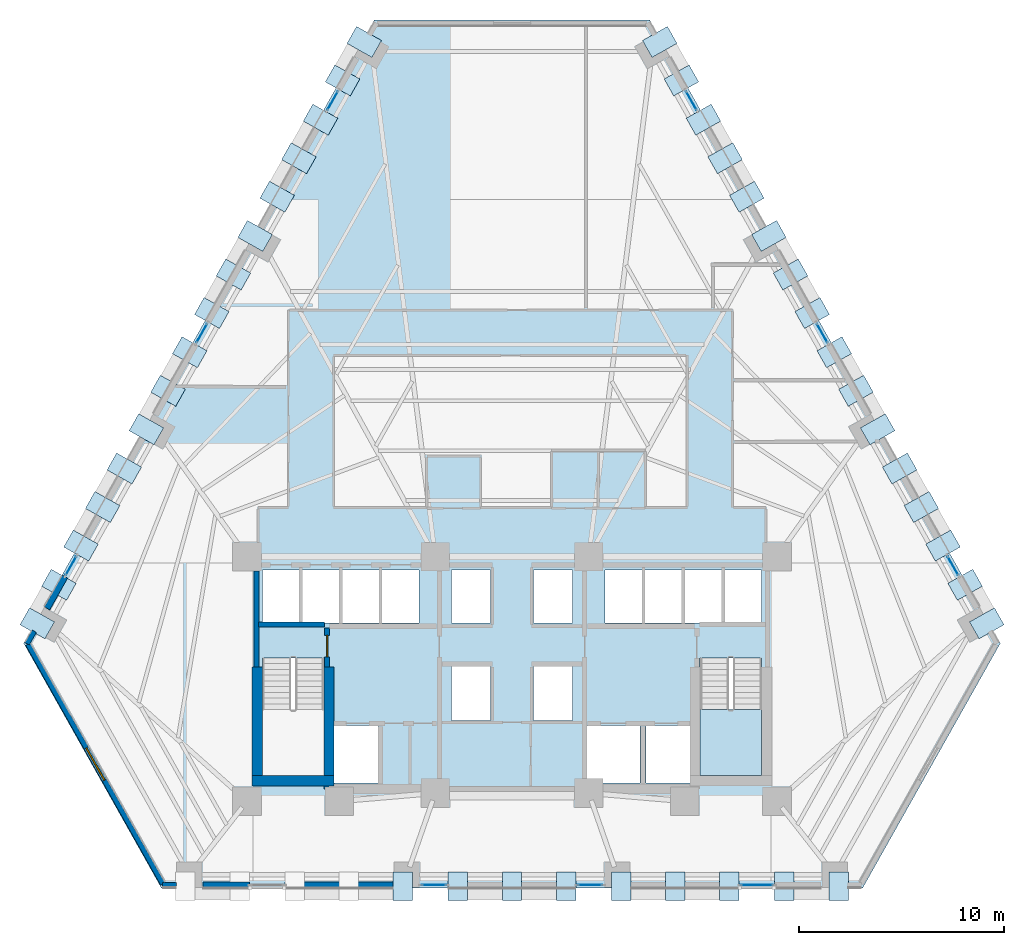
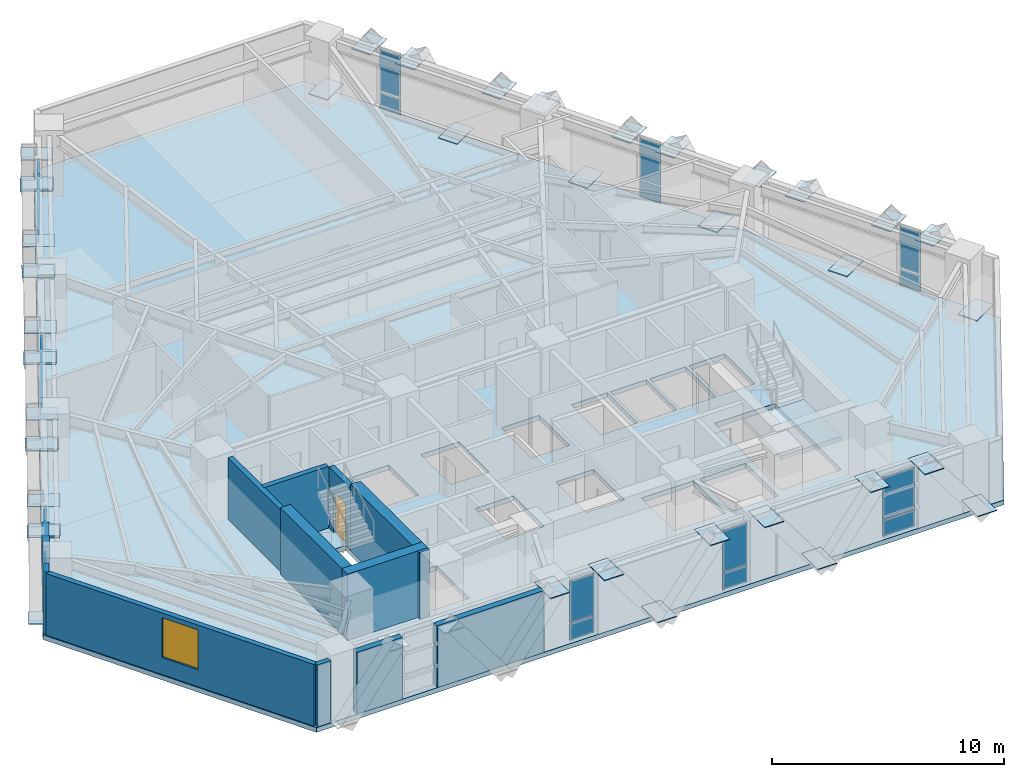
# One storey, part 6 of 13: 59 plates, 12 walls, 2 slabs, 1 door, 1 window, 2 openings, 10 elements without a shape of their own.
"""IFC4 building model written with IfcOpenShell, lengths in metres."""

from ifc_helpers import new_model, si_unit, direction, frame, frame_2d, origin, origin_2d, place, context, subcontext, project, spatial, polyline, rectangle, outline, extrude, material, layer, layer_set, type_object, element, fill, aggregate, save


model = new_model("IFC4")

# Units and contexts
model_context = context("Model", 3, precision=1e-05, world=origin(), true_north=direction((0.0, 1.0)))
body_context = subcontext(model_context, "Body", "Model", "MODEL_VIEW")
ifc_project = project(units=[si_unit("LENGTHUNIT", "METRE"), si_unit("AREAUNIT", "SQUARE_METRE"), si_unit("VOLUMEUNIT", "CUBIC_METRE"), si_unit("PLANEANGLEUNIT", "RADIAN"), si_unit("MASSUNIT", "GRAM", prefix="KILO")], contexts=[model_context])

# Site, building, storey
site_placement = place(None, origin())
site = spatial("IfcSite", under=ifc_project, at=site_placement, CompositionType="ELEMENT")
building_placement = place(site_placement, origin())
building = spatial("IfcBuilding", under=site, at=building_placement, Name="Quenlor Broadcast Tower", CompositionType="ELEMENT")
storey_placement = place(building_placement, frame((0.0, 0.0, 48.60009765625)))
storey = spatial("IfcBuildingStorey", under=building, at=storey_placement, Name="L12", CompositionType="ELEMENT", Elevation=48.60009765625)

# Curtain wall, plates
ifc_material_1 = material(Name="Architectural Terracotta and Low-E Glazing", Category="masonry")
curtain_wall_type = type_object("IfcCurtainWallType", Name="Unitised Terracotta Curtain Wall System Z1", PredefinedType="NOTDEFINED", material=ifc_material_1)
curtain_wall_1_placement = place(storey_placement, origin())
curtain_wall_1 = element("IfcCurtainWall", 1, at=curtain_wall_1_placement, inside=storey, type_object=curtain_wall_type, Name="L12 Curtain Wall CW1 (L12-SA-G1)", PredefinedType="NOTDEFINED")
ifc_material_2 = material(Name="Double Glazed Low-E Solar Glass", Category="glass")
ifc_layer_1 = layer(ifc_material_2, 0.031982421875)
ifc_layer_set_1 = layer_set([ifc_layer_1], Name="CW1 Double Glazed Vision Panel 32")
plate_type_1 = type_object("IfcPlateType", Name="CW1 Double Glazed Vision Panel 32", PredefinedType="CURTAIN_PANEL", material=ifc_layer_set_1)
plate_1_placement = place(storey_placement, frame((11.970703125, -20.840087890625, 0.079833984375), z_axis=(0.0, 0.0, 1.0), x_axis=(-1.0, 0.0, 0.0)))
plate_1 = element("IfcPlate", 2, at=plate_1_placement, type_object=plate_type_1, Name="CW1 panel 1.1", PredefinedType="CURTAIN_PANEL", context=body_context, shape_type="SweptSolid", body=[
    extrude(rectangle(XDim=1.568359375, YDim=0.031982421875, at=origin_2d()), origin(), (0.0, 0.0, 1.0), 0.830078125),
])
plate_2_placement = place(storey_placement, frame((11.970703125, -20.840087890625, 0.98974609375), z_axis=(0.0, 0.0, 1.0), x_axis=(-1.0, 0.0, 0.0)))
plate_2 = element("IfcPlate", 3, at=plate_2_placement, type_object=plate_type_1, Name="CW1 panel 1.2", PredefinedType="CURTAIN_PANEL", context=body_context, shape_type="SweptSolid", body=[
    extrude(rectangle(XDim=1.568359375, YDim=0.031982421875, at=origin_2d()), origin(), (0.0, 0.0, 1.0), 2.179931640625),
])
aggregate(curtain_wall_1, [plate_1, plate_2])

curtain_wall_2_placement = place(storey_placement, origin())
curtain_wall_2 = element("IfcCurtainWall", 4, at=curtain_wall_2_placement, inside=storey, type_object=curtain_wall_type, Name="L12 Curtain Wall CW1 (L12-S-G1)", PredefinedType="NOTDEFINED")
plate_3_placement = place(storey_placement, frame((3.81103515625, -20.840087890625, 0.079833984375), z_axis=(0.0, 0.0, 1.0), x_axis=(-1.0, 0.0, 0.0)))
plate_3 = element("IfcPlate", 5, at=plate_3_placement, type_object=plate_type_1, Name="CW1 panel 1.1", PredefinedType="CURTAIN_PANEL", context=body_context, shape_type="SweptSolid", body=[
    extrude(rectangle(XDim=1.209716796875, YDim=0.031982421875, at=origin_2d()), origin(), (0.0, 0.0, 1.0), 0.830078125),
])
plate_4_placement = place(storey_placement, frame((3.81103515625, -20.840087890625, 0.98974609375), z_axis=(0.0, 0.0, 1.0), x_axis=(-1.0, 0.0, 0.0)))
plate_4 = element("IfcPlate", 6, at=plate_4_placement, type_object=plate_type_1, Name="CW1 panel 1.2", PredefinedType="CURTAIN_PANEL", context=body_context, shape_type="SweptSolid", body=[
    extrude(rectangle(XDim=1.209716796875, YDim=0.031982421875, at=origin_2d()), origin(), (0.0, 0.0, 1.0), 2.179931640625),
])
aggregate(curtain_wall_2, [plate_3, plate_4])

curtain_wall_3_placement = place(storey_placement, origin())
curtain_wall_3 = element("IfcCurtainWall", 7, at=curtain_wall_3_placement, inside=storey, type_object=curtain_wall_type, Name="L12 Curtain Wall CW1 (L12-S-G2)", PredefinedType="NOTDEFINED")
plate_5_placement = place(storey_placement, frame((-3.81103515625, -20.840087890625, 0.079833984375), z_axis=(0.0, 0.0, 1.0), x_axis=(-1.0, 0.0, 0.0)))
plate_5 = element("IfcPlate", 8, at=plate_5_placement, type_object=plate_type_1, Name="CW1 panel 1.1", PredefinedType="CURTAIN_PANEL", context=body_context, shape_type="SweptSolid", body=[
    extrude(rectangle(XDim=1.209716796875, YDim=0.031982421875, at=origin_2d()), origin(), (0.0, 0.0, 1.0), 0.830078125),
])
plate_6_placement = place(storey_placement, frame((-3.81103515625, -20.840087890625, 0.98974609375), z_axis=(0.0, 0.0, 1.0), x_axis=(-1.0, 0.0, 0.0)))
plate_6 = element("IfcPlate", 9, at=plate_6_placement, type_object=plate_type_1, Name="CW1 panel 1.2", PredefinedType="CURTAIN_PANEL", context=body_context, shape_type="SweptSolid", body=[
    extrude(rectangle(XDim=1.209716796875, YDim=0.031982421875, at=origin_2d()), origin(), (0.0, 0.0, 1.0), 2.179931640625),
])
aggregate(curtain_wall_3, [plate_5, plate_6])

curtain_wall_4_placement = place(storey_placement, origin())
curtain_wall_4 = element("IfcCurtainWall", 10, at=curtain_wall_4_placement, inside=storey, type_object=curtain_wall_type, Name="L12 Curtain Wall CW1 (L12-NEA-G1)", PredefinedType="NOTDEFINED")
plate_7_placement = place(storey_placement, frame((8.766845703125, 17.48779296875, 0.079833984375), z_axis=(0.0, 0.0, 1.0), x_axis=(0.490276943553, -0.871566703483, 0.0)))
plate_7 = element("IfcPlate", 11, at=plate_7_placement, type_object=plate_type_1, Name="CW1 panel 1.1", PredefinedType="CURTAIN_PANEL", context=body_context, shape_type="SweptSolid", body=[
    extrude(rectangle(XDim=1.04931640625, YDim=0.031982421875, at=origin_2d()), origin(), (0.0, 0.0, 1.0), 0.830078125),
])
plate_8_placement = place(storey_placement, frame((8.766845703125, 17.48779296875, 0.98974609375), z_axis=(0.0, 0.0, 1.0), x_axis=(0.490276943553, -0.871566703483, 0.0)))
plate_8 = element("IfcPlate", 12, at=plate_8_placement, type_object=plate_type_1, Name="CW1 panel 1.2", PredefinedType="CURTAIN_PANEL", context=body_context, shape_type="SweptSolid", body=[
    extrude(rectangle(XDim=1.04931640625, YDim=0.031982421875, at=origin_2d()), origin(), (0.0, 0.0, 1.0), 2.179931640625),
])
aggregate(curtain_wall_4, [plate_7, plate_8])

curtain_wall_5_placement = place(storey_placement, origin())
curtain_wall_5 = element("IfcCurtainWall", 13, at=curtain_wall_5_placement, inside=storey, type_object=curtain_wall_type, Name="L12 Curtain Wall CW1 (L12-NEC-G1)", PredefinedType="NOTDEFINED")
plate_9_placement = place(storey_placement, frame((21.553955078125, -5.24462890625, 0.079833984375), z_axis=(0.0, 0.0, 1.0), x_axis=(0.490276943553, -0.871566703483, 0.0)))
plate_9 = element("IfcPlate", 14, at=plate_9_placement, type_object=plate_type_1, Name="CW1 panel 1.1", PredefinedType="CURTAIN_PANEL", context=body_context, shape_type="SweptSolid", body=[
    extrude(rectangle(XDim=1.04931640625, YDim=0.031982421875, at=origin_2d()), origin(), (0.0, 0.0, 1.0), 0.830078125),
])
plate_10_placement = place(storey_placement, frame((21.553955078125, -5.24462890625, 0.98974609375), z_axis=(0.0, 0.0, 1.0), x_axis=(0.490276943553, -0.871566703483, 0.0)))
plate_10 = element("IfcPlate", 15, at=plate_10_placement, type_object=plate_type_1, Name="CW1 panel 1.2", PredefinedType="CURTAIN_PANEL", context=body_context, shape_type="SweptSolid", body=[
    extrude(rectangle(XDim=1.04931640625, YDim=0.031982421875, at=origin_2d()), origin(), (0.0, 0.0, 1.0), 2.179931640625),
])
aggregate(curtain_wall_5, [plate_9, plate_10])

curtain_wall_6_placement = place(storey_placement, origin())
curtain_wall_6 = element("IfcCurtainWall", 16, at=curtain_wall_6_placement, inside=storey, type_object=curtain_wall_type, Name="L12 Curtain Wall CW1 (L12-NE-G1)", PredefinedType="NOTDEFINED")
plate_11_placement = place(storey_placement, frame((15.16064453125, 6.12158203125, 0.079833984375), z_axis=(0.0, 0.0, 1.0), x_axis=(0.490276943553, -0.871566703483, 0.0)))
plate_11 = element("IfcPlate", 17, at=plate_11_placement, type_object=plate_type_1, Name="CW1 panel 1.1", PredefinedType="CURTAIN_PANEL", context=body_context, shape_type="SweptSolid", body=[
    extrude(rectangle(XDim=1.04931640625, YDim=0.031982421875, at=origin_2d()), origin(), (0.0, 0.0, 1.0), 0.830078125),
])
plate_12_placement = place(storey_placement, frame((15.16064453125, 6.12158203125, 0.98974609375), z_axis=(0.0, 0.0, 1.0), x_axis=(0.490276943553, -0.871566703483, 0.0)))
plate_12 = element("IfcPlate", 18, at=plate_12_placement, type_object=plate_type_1, Name="CW1 panel 1.2", PredefinedType="CURTAIN_PANEL", context=body_context, shape_type="SweptSolid", body=[
    extrude(rectangle(XDim=1.04931640625, YDim=0.031982421875, at=origin_2d()), origin(), (0.0, 0.0, 1.0), 2.179931640625),
])
aggregate(curtain_wall_6, [plate_11, plate_12])

curtain_wall_7_placement = place(storey_placement, origin())
curtain_wall_7 = element("IfcCurtainWall", 19, at=curtain_wall_7_placement, inside=storey, type_object=curtain_wall_type, Name="L12 Curtain Wall CW1 (L12-NWA-G1)", PredefinedType="NOTDEFINED")
plate_13_placement = place(storey_placement, frame((-21.553955078125, -5.24462890625, 0.079833984375), z_axis=(0.0, 0.0, 1.0), x_axis=(0.490276943553, 0.871566703483, 0.0)))
plate_13 = element("IfcPlate", 20, at=plate_13_placement, type_object=plate_type_1, Name="CW1 panel 1.1", PredefinedType="CURTAIN_PANEL", context=body_context, shape_type="SweptSolid", body=[
    extrude(rectangle(XDim=1.04931640625, YDim=0.031982421875, at=origin_2d()), origin(), (0.0, 0.0, 1.0), 0.830078125),
])
plate_14_placement = place(storey_placement, frame((-21.553955078125, -5.24462890625, 0.98974609375), z_axis=(0.0, 0.0, 1.0), x_axis=(0.490276943553, 0.871566703483, 0.0)))
plate_14 = element("IfcPlate", 21, at=plate_14_placement, type_object=plate_type_1, Name="CW1 panel 1.2", PredefinedType="CURTAIN_PANEL", context=body_context, shape_type="SweptSolid", body=[
    extrude(rectangle(XDim=1.04931640625, YDim=0.031982421875, at=origin_2d()), origin(), (0.0, 0.0, 1.0), 2.179931640625),
])
aggregate(curtain_wall_7, [plate_13, plate_14])

curtain_wall_8_placement = place(storey_placement, origin())
curtain_wall_8 = element("IfcCurtainWall", 22, at=curtain_wall_8_placement, inside=storey, type_object=curtain_wall_type, Name="L12 Curtain Wall CW1 (L12-NWC-G1)", PredefinedType="NOTDEFINED")
plate_15_placement = place(storey_placement, frame((-8.766845703125, 17.48779296875, 0.079833984375), z_axis=(0.0, 0.0, 1.0), x_axis=(0.490276943553, 0.871566703483, 0.0)))
plate_15 = element("IfcPlate", 23, at=plate_15_placement, type_object=plate_type_1, Name="CW1 panel 1.1", PredefinedType="CURTAIN_PANEL", context=body_context, shape_type="SweptSolid", body=[
    extrude(rectangle(XDim=1.04931640625, YDim=0.031982421875, at=origin_2d()), origin(), (0.0, 0.0, 1.0), 0.830078125),
])
plate_16_placement = place(storey_placement, frame((-8.766845703125, 17.48779296875, 0.98974609375), z_axis=(0.0, 0.0, 1.0), x_axis=(0.490276943553, 0.871566703483, 0.0)))
plate_16 = element("IfcPlate", 24, at=plate_16_placement, type_object=plate_type_1, Name="CW1 panel 1.2", PredefinedType="CURTAIN_PANEL", context=body_context, shape_type="SweptSolid", body=[
    extrude(rectangle(XDim=1.04931640625, YDim=0.031982421875, at=origin_2d()), origin(), (0.0, 0.0, 1.0), 2.179931640625),
])
aggregate(curtain_wall_8, [plate_15, plate_16])

curtain_wall_9_placement = place(storey_placement, origin())
curtain_wall_9 = element("IfcCurtainWall", 25, at=curtain_wall_9_placement, inside=storey, type_object=curtain_wall_type, Name="L12 Curtain Wall CW1 (L12-NW-G1)", PredefinedType="NOTDEFINED")
plate_17_placement = place(storey_placement, frame((-15.16064453125, 6.12158203125, 0.079833984375), z_axis=(0.0, 0.0, 1.0), x_axis=(0.490276943553, 0.871566703483, 0.0)))
plate_17 = element("IfcPlate", 26, at=plate_17_placement, type_object=plate_type_1, Name="CW1 panel 1.1", PredefinedType="CURTAIN_PANEL", context=body_context, shape_type="SweptSolid", body=[
    extrude(rectangle(XDim=1.04931640625, YDim=0.031982421875, at=origin_2d()), origin(), (0.0, 0.0, 1.0), 0.830078125),
])
plate_18_placement = place(storey_placement, frame((-15.16064453125, 6.12158203125, 0.98974609375), z_axis=(0.0, 0.0, 1.0), x_axis=(0.490276943553, 0.871566703483, 0.0)))
plate_18 = element("IfcPlate", 27, at=plate_18_placement, type_object=plate_type_1, Name="CW1 panel 1.2", PredefinedType="CURTAIN_PANEL", context=body_context, shape_type="SweptSolid", body=[
    extrude(rectangle(XDim=1.04931640625, YDim=0.031982421875, at=origin_2d()), origin(), (0.0, 0.0, 1.0), 2.179931640625),
])
aggregate(curtain_wall_9, [plate_17, plate_18])

# Stair, slab
ifc_material_3 = material(Name="Precast concrete C40/50", Category="concrete")
stair_type = type_object("IfcStairType", Name="Precast Concrete C40/50 Dogleg Stair H350", PredefinedType="HALF_TURN_STAIR", material=ifc_material_3)
stair_placement = place(storey_placement, origin())
stair = element("IfcStair", 28, at=stair_placement, inside=storey, type_object=stair_type, Name="L12 East Core Fire-Isolated Exit Stair ST-2", PredefinedType="HALF_TURN_STAIR")
ifc_material_4 = material(Name="Precast concrete C40/50", Category="concrete")
ifc_layer_2 = layer(ifc_material_4, 0.199951171875)
ifc_layer_set_2 = layer_set([ifc_layer_2], Name="Precast Concrete C40/50 Stair Landing Slab 200")
slab_type_1 = type_object("IfcSlabType", Name="Precast Concrete C40/50 Stair Landing Slab 200", PredefinedType="LANDING", material=ifc_layer_set_2)
slab_1_placement = place(storey_placement, frame((0.0, 0.0, 1.5498046875)))
slab_1 = element("IfcSlab", 29, at=slab_1_placement, type_object=slab_type_1, Name="ST-2 landing 1", PredefinedType="LANDING", context=body_context, shape_type="SweptSolid", body=[
    extrude(outline(polyline([(9.199951171875, -12.27001953125), (9.199951171875, -15.5), (12.199951171875, -15.5), (12.199951171875, -12.27001953125), (9.199951171875, -12.27001953125)])), origin(), (0.0, 0.0, 1.0), 0.2001953125),
])
aggregate(stair, [slab_1])

# Slab
ifc_material_5 = material(Name="Concrete C40/50", Category="concrete")
ifc_layer_3 = layer(ifc_material_5, 0.25)
ifc_layer_set_3 = layer_set([ifc_layer_3], Name="Tower Composite Concrete C40/50 Slab 250")
slab_type_2 = type_object("IfcSlabType", Name="Tower Composite Concrete C40/50 Slab 250", PredefinedType="FLOOR", material=ifc_layer_set_3)
slab_2_placement = place(storey_placement, frame((0.0, 0.0, -0.25)))
element("IfcSlab", 30, at=slab_2_placement, inside=storey, type_object=slab_type_2, Name="L12 Structural Floor Slab", PredefinedType="FLOOR", context=body_context, shape_type="SweptSolid", body=[
    extrude(outline(polyline([(17.135986328125, -21.0), (23.867919921875, -9.031982421875), (6.73193359375, 21.431884765625), (-6.73193359375, 21.431884765625), (-23.867919921875, -9.031982421875), (-17.135986328125, -21.0), (17.135986328125, -21.0)]), holes=[polyline([(-12.199951171875, -9.758056640625), (-12.199951171875, -15.5), (-9.199951171875, -15.5), (-9.199951171875, -9.758056640625), (-12.199951171875, -9.758056640625)]), polyline([(9.199951171875, -9.758056640625), (9.199951171875, -15.5), (12.199951171875, -15.5), (12.199951171875, -9.758056640625), (9.199951171875, -9.758056640625)]), polyline([(-12.199951171875, -8.050048828125), (-10.39990234375, -8.050048828125), (-10.39990234375, -5.449951171875), (-12.199951171875, -5.449951171875), (-12.199951171875, -8.050048828125)]), polyline([(-10.25, -8.050048828125), (-8.449951171875, -8.050048828125), (-8.449951171875, -5.449951171875), (-10.25, -5.449951171875), (-10.25, -8.050048828125)]), polyline([(-8.300048828125, -8.050048828125), (-6.5, -8.050048828125), (-6.5, -5.449951171875), (-8.300048828125, -5.449951171875), (-8.300048828125, -8.050048828125)]), polyline([(-6.35009765625, -8.050048828125), (-4.550048828125, -8.050048828125), (-4.550048828125, -5.449951171875), (-6.35009765625, -5.449951171875), (-6.35009765625, -8.050048828125)]), polyline([(-2.949951171875, -8.050048828125), (-1.050048828125, -8.050048828125), (-1.050048828125, -5.449951171875), (-2.949951171875, -5.449951171875), (-2.949951171875, -8.050048828125)]), polyline([(1.050048828125, -8.050048828125), (2.949951171875, -8.050048828125), (2.949951171875, -5.449951171875), (1.050048828125, -5.449951171875), (1.050048828125, -8.050048828125)]), polyline([(-2.949951171875, -12.800048828125), (-1.050048828125, -12.800048828125), (-1.050048828125, -10.14990234375), (-2.949951171875, -10.14990234375), (-2.949951171875, -12.800048828125)]), polyline([(1.050048828125, -12.800048828125), (2.949951171875, -12.800048828125), (2.949951171875, -10.14990234375), (1.050048828125, -10.14990234375), (1.050048828125, -12.800048828125)]), polyline([(4.550048828125, -8.050048828125), (6.35009765625, -8.050048828125), (6.35009765625, -5.449951171875), (4.550048828125, -5.449951171875), (4.550048828125, -8.050048828125)]), polyline([(6.5, -8.050048828125), (8.300048828125, -8.050048828125), (8.300048828125, -5.449951171875), (6.5, -5.449951171875), (6.5, -8.050048828125)]), polyline([(8.449951171875, -8.050048828125), (10.25, -8.050048828125), (10.25, -5.449951171875), (8.449951171875, -5.449951171875), (8.449951171875, -8.050048828125)]), polyline([(10.39990234375, -8.050048828125), (12.199951171875, -8.050048828125), (12.199951171875, -5.449951171875), (10.39990234375, -5.449951171875), (10.39990234375, -8.050048828125)]), polyline([(-8.85009765625, -15.85009765625), (-6.550048828125, -15.85009765625), (-6.550048828125, -13.050048828125), (-8.85009765625, -13.050048828125), (-8.85009765625, -15.85009765625)]), polyline([(6.550048828125, -15.85009765625), (8.85009765625, -15.85009765625), (8.85009765625, -13.050048828125), (6.550048828125, -13.050048828125), (6.550048828125, -15.85009765625)]), polyline([(3.64990234375, -15.85009765625), (6.25, -15.85009765625), (6.25, -13.050048828125), (3.64990234375, -13.050048828125), (3.64990234375, -15.85009765625)])]), origin(), (0.0, 0.0, 1.0), 0.25),
])

# Plates
ifc_material_6 = material(Name="Steel S355", Category="steel")
ifc_layer_4 = layer(ifc_material_6, 0.035888671875)
ifc_layer_set_4 = layer_set([ifc_layer_4], Name="Transfer Truss Steel S355 Gusset Node Plate 1400x950x36")
plate_type_2 = type_object("IfcPlateType", Name="Transfer Truss Steel S355 Gusset Node Plate 1400x950x36", PredefinedType="SHEET", material=ifc_layer_set_4)
for number, where, z_axis, x_axis, name in (
    (31, (15.9609375, -20.89990234375, 0.0419921875), (0.0, 0.0, 1.0), (0.0, -1.0, 0.0), "L12 Lattice Tie Gusset Node S-B0"),
    (32, (13.31689453125, -20.89990234375, 3.18212890625), (0.0, 0.0, 1.0), (0.0, -1.0, 0.0), "L12 Lattice Tie Gusset Node S-T1"),
    (33, (7.98046875, -20.89990234375, 0.0419921875), (0.0, 0.0, 1.0), (0.0, -1.0, 0.0), "L12 Lattice Tie Gusset Node S-B3"),
    (34, (10.624755859375, -20.89990234375, 3.18212890625), (0.0, 0.0, 1.0), (0.0, -1.0, 0.0), "L12 Lattice Tie Gusset Node S-T2"),
    (35, (5.336181640625, -20.89990234375, 3.18212890625), (0.0, 0.0, 1.0), (0.0, -1.0, 0.0), "L12 Lattice Tie Gusset Node S-T4"),
    (36, (0.0, -20.89990234375, 0.0419921875), (0.0, 0.0, 1.0), (0.0, -1.0, 0.0), "L12 Lattice Tie Gusset Node S-B6"),
    (37, (2.644287109375, -20.89990234375, 3.18212890625), (0.0, 0.0, 1.0), (0.0, -1.0, 0.0), "L12 Lattice Tie Gusset Node S-T5"),
    (38, (-2.644287109375, -20.89990234375, 3.18212890625), (0.0, 0.0, 1.0), (0.0, -1.0, 0.0), "L12 Lattice Tie Gusset Node S-T7"),
    (39, (-5.336181640625, -20.89990234375, 3.18212890625), (0.0, 0.0, 1.0), (0.0, -1.0, 0.0), "L12 Lattice Tie Gusset Node S-T8"),
    (40, (7.220947265625, 20.35888671875, 0.0419921875), (0.0, 0.0, 1.0), (0.871556314255, 0.490295412055, 0.0), "L12 Lattice Tie Gusset Node NE-B0"),
    (41, (8.280029296875, 18.475830078125, 3.18212890625), (0.0, 0.0, 1.0), (0.871556314255, 0.490295412055, 0.0), "L12 Lattice Tie Gusset Node NE-T1"),
    (42, (10.41748046875, 14.67578125, 0.0419921875), (0.0, 0.0, 1.0), (0.871556314255, 0.490295412055, 0.0), "L12 Lattice Tie Gusset Node NE-B3"),
    (43, (9.3583984375, 16.558837890625, 3.18212890625), (0.0, 0.0, 1.0), (0.871556314255, 0.490295412055, 0.0), "L12 Lattice Tie Gusset Node NE-T2"),
    (44, (11.476806640625, 12.792724609375, 3.18212890625), (0.0, 0.0, 1.0), (0.871556314255, 0.490295412055, 0.0), "L12 Lattice Tie Gusset Node NE-T4"),
    (45, (13.614501953125, 8.99267578125, 0.0419921875), (0.0, 0.0, 1.0), (0.871556314255, 0.490295412055, 0.0), "L12 Lattice Tie Gusset Node NE-B6"),
    (46, (12.55517578125, 10.87548828125, 3.18212890625), (0.0, 0.0, 1.0), (0.871556314255, 0.490295412055, 0.0), "L12 Lattice Tie Gusset Node NE-T5"),
    (47, (14.673583984375, 7.109619140625, 3.18212890625), (0.0, 0.0, 1.0), (0.871556314255, 0.490295412055, 0.0), "L12 Lattice Tie Gusset Node NE-T7"),
    (48, (16.811279296875, 3.309326171875, 0.0419921875), (0.0, 0.0, 1.0), (0.871556314255, 0.490295412055, 0.0), "L12 Lattice Tie Gusset Node NE-B9"),
    (49, (15.751953125, 5.1923828125, 3.18212890625), (0.0, 0.0, 1.0), (0.871556314255, 0.490295412055, 0.0), "L12 Lattice Tie Gusset Node NE-T8"),
    (50, (17.870361328125, 1.426513671875, 3.18212890625), (0.0, 0.0, 1.0), (0.871556314255, 0.490295412055, 0.0), "L12 Lattice Tie Gusset Node NE-T10"),
    (51, (20.008056640625, -2.373779296875, 0.0419921875), (0.0, 0.0, 1.0), (0.871556314255, 0.490295412055, 0.0), "L12 Lattice Tie Gusset Node NE-B12"),
    (52, (18.94873046875, -0.49072265625, 3.18212890625), (0.0, 0.0, 1.0), (0.871556314255, 0.490295412055, 0.0), "L12 Lattice Tie Gusset Node NE-T11"),
    (53, (21.067138671875, -4.256591796875, 3.18212890625), (0.0, 0.0, 1.0), (0.871556314255, 0.490295412055, 0.0), "L12 Lattice Tie Gusset Node NE-T13"),
    (54, (23.20458984375, -8.056884765625, 0.0419921875), (0.0, 0.0, 1.0), (0.871556314255, 0.490295412055, 0.0), "L12 Lattice Tie Gusset Node NE-B15"),
    (55, (22.1455078125, -6.173828125, 3.18212890625), (0.0, 0.0, 1.0), (0.871556314255, 0.490295412055, 0.0), "L12 Lattice Tie Gusset Node NE-T14"),
    (56, (-23.20458984375, -8.056884765625, 0.0419921875), (0.0, 0.0, 1.0), (-0.871556314255, 0.490295412055, 0.0), "L12 Lattice Tie Gusset Node NW-B0"),
    (57, (-22.1455078125, -6.173828125, 3.18212890625), (0.0, 0.0, 1.0), (-0.871556314255, 0.490295412055, 0.0), "L12 Lattice Tie Gusset Node NW-T1"),
    (58, (-20.008056640625, -2.373779296875, 0.0419921875), (0.0, 0.0, 1.0), (-0.871556314255, 0.490295412055, 0.0), "L12 Lattice Tie Gusset Node NW-B3"),
    (59, (-21.067138671875, -4.256591796875, 3.18212890625), (0.0, 0.0, 1.0), (-0.871556314255, 0.490295412055, 0.0), "L12 Lattice Tie Gusset Node NW-T2"),
    (60, (-18.94873046875, -0.49072265625, 3.18212890625), (0.0, 0.0, 1.0), (-0.871556314255, 0.490295412055, 0.0), "L12 Lattice Tie Gusset Node NW-T4"),
    (61, (-16.811279296875, 3.309326171875, 0.0419921875), (0.0, 0.0, 1.0), (-0.871556314255, 0.490295412055, 0.0), "L12 Lattice Tie Gusset Node NW-B6"),
    (62, (-17.870361328125, 1.426513671875, 3.18212890625), (0.0, 0.0, 1.0), (-0.871556314255, 0.490295412055, 0.0), "L12 Lattice Tie Gusset Node NW-T5"),
    (63, (-15.751953125, 5.1923828125, 3.18212890625), (0.0, 0.0, 1.0), (-0.871556314255, 0.490295412055, 0.0), "L12 Lattice Tie Gusset Node NW-T7"),
    (64, (-13.614501953125, 8.99267578125, 0.0419921875), (0.0, 0.0, 1.0), (-0.871556314255, 0.490295412055, 0.0), "L12 Lattice Tie Gusset Node NW-B9"),
    (65, (-14.673583984375, 7.109619140625, 3.18212890625), (0.0, 0.0, 1.0), (-0.871556314255, 0.490295412055, 0.0), "L12 Lattice Tie Gusset Node NW-T8"),
    (66, (-12.55517578125, 10.87548828125, 3.18212890625), (0.0, 0.0, 1.0), (-0.871556314255, 0.490295412055, 0.0), "L12 Lattice Tie Gusset Node NW-T10"),
    (67, (-10.41748046875, 14.67578125, 0.0419921875), (0.0, 0.0, 1.0), (-0.871556314255, 0.490295412055, 0.0), "L12 Lattice Tie Gusset Node NW-B12"),
    (68, (-11.476806640625, 12.792724609375, 3.18212890625), (0.0, 0.0, 1.0), (-0.871556314255, 0.490295412055, 0.0), "L12 Lattice Tie Gusset Node NW-T11"),
    (69, (-9.3583984375, 16.558837890625, 3.18212890625), (0.0, 0.0, 1.0), (-0.871556314255, 0.490295412055, 0.0), "L12 Lattice Tie Gusset Node NW-T13"),
    (70, (-7.220947265625, 20.35888671875, 0.0419921875), (0.0, 0.0, 1.0), (-0.871556314255, 0.490295412055, 0.0), "L12 Lattice Tie Gusset Node NW-B15"),
    (71, (-8.280029296875, 18.475830078125, 3.18212890625), (0.0, 0.0, 1.0), (-0.871556314255, 0.490295412055, 0.0), "L12 Lattice Tie Gusset Node NW-T14"),
):
    element("IfcPlate", number, at=place(storey_placement, frame(where, z_axis=z_axis, x_axis=x_axis)), inside=storey, type_object=plate_type_2, Name=name, PredefinedType="SHEET", context=body_context, shape_type="SweptSolid", body=[
        extrude(rectangle(XDim=1.39990234375, YDim=0.949951171875, at=origin_2d()), origin(), (0.0, 0.0, 1.0), 0.035888671875),
    ])

# Walls
ifc_material_7 = material(Name="Concrete C65/80", Category="concrete")
ifc_layer_5 = layer(ifc_material_7, 0.5)
ifc_layer_set_5 = layer_set([ifc_layer_5], Name="Core Concrete C65/80 Shear Wall 500")
wall_type_1 = type_object("IfcWallType", Name="Core Concrete C65/80 Shear Wall 500", PredefinedType="SHEAR", material=ifc_layer_set_5)
wall_1_placement = place(storey_placement, frame((-12.699951171875, -15.75, 0.0), z_axis=(0.0, 0.0, 1.0), x_axis=(1.0, 0.0, 0.0)))
element("IfcWall", 72, at=wall_1_placement, inside=storey, type_object=wall_type_1, Name="L12 Core Shear Wall WS-W1", PredefinedType="SHEAR", context=body_context, shape_type="SweptSolid", body=[
    extrude(rectangle(XDim=4.0, YDim=0.5, at=frame_2d((2.0, 0.0))), origin(), (0.0, 0.0, 1.0), 3.5),
])
wall_2_placement = place(storey_placement, frame((-12.449951171875, -15.75, 0.0), z_axis=(0.0, 0.0, 1.0), x_axis=(0.0, 1.0, 0.0)))
element("IfcWall", 73, at=wall_2_placement, inside=storey, type_object=wall_type_1, Name="L12 Core Shear Wall WF-W", PredefinedType="SHEAR", context=body_context, shape_type="SweptSolid", body=[
    extrude(rectangle(XDim=5.550048828125, YDim=0.5, at=frame_2d((2.77490234375, 0.0))), origin(), (0.0, 0.0, 1.0), 3.5),
])
wall_3_placement = place(storey_placement, frame((-8.949951171875, -16.14990234375, 0.0), z_axis=(0.0, 0.0, 1.0), x_axis=(0.0, 1.0, 0.0)))
element("IfcWall", 74, at=wall_3_placement, inside=storey, type_object=wall_type_1, Name="L12 Core Shear Wall WI-W", PredefinedType="SHEAR", context=body_context, shape_type="SweptSolid", body=[
    extrude(rectangle(XDim=5.949951171875, YDim=0.5, at=frame_2d((2.97509765625, 0.0))), origin(), (0.0, 0.0, 1.0), 3.5),
])

# Wall, opening, door
ifc_material_8 = material(Name="Concrete C40/50", Category="concrete")
ifc_layer_6 = layer(ifc_material_8, 0.25)
ifc_layer_set_6 = layer_set([ifc_layer_6], Name="Fire Rated Concrete C40/50 Core Wall 250")
wall_type_2 = type_object("IfcWallType", Name="Fire Rated Concrete C40/50 Core Wall 250", PredefinedType="PARTITIONING", material=ifc_layer_set_6)
wall_4_placement = place(storey_placement, frame((-9.0400390625, -10.179931640625, 0.0), z_axis=(0.0, 0.0, 1.0), x_axis=(0.0, 1.0, 0.0)))
wall_4 = element("IfcWall", 75, at=wall_4_placement, inside=storey, type_object=wall_type_2, Name="L12 Interior Wall CW-ST1-DR", PredefinedType="PARTITIONING", context=body_context, shape_type="SweptSolid", body=[
    extrude(rectangle(XDim=1.89990234375, YDim=0.25, at=frame_2d((0.949951171875, 0.0))), origin(), (0.0, 0.0, 1.0), 3.25),
])
opening_1_placement = place(wall_4_placement, frame((0.47998046875, 0.0, 0.0)))
opening_1 = element("IfcOpeningElement", 76, at=opening_1_placement, cuts=wall_4, Name="Opening FD-1", PredefinedType="OPENING", context=body_context, shape_type="SweptSolid", body=[
    extrude(rectangle(XDim=1.050048828125, YDim=2.14990234375, at=frame_2d((0.52490234375, 1.074951171875))), frame((0.0, 0.135009765625, 0.0), z_axis=(0.0, -1.0, 0.0), x_axis=(1.0, 0.0, 0.0)), (0.0, 0.0, 1.0), 0.27001953125),
])
ifc_material_9 = material(Name="Fire Rated Steel Door Leaf", Category="steel")
door_type = type_object("IfcDoorType", Name="Fire Isolated Stair Door 1050x2150", OperationType="NOTDEFINED", PredefinedType="DOOR", material=ifc_material_9)
door_placement = place(opening_1_placement, origin())
door = element("IfcDoor", 77, at=door_placement, inside=storey, type_object=door_type, Name="L12 Door DR-ST1", OperationType="SINGLE_SWING_LEFT", OverallHeight=2.14990234375, OverallWidth=1.050048828125, PredefinedType="DOOR", context=body_context, shape_type="SweptSolid", body=[
    extrude(rectangle(XDim=1.050048828125, YDim=2.14990234375, at=frame_2d((0.52490234375, 1.074951171875))), frame((0.0, 0.02490234375, 0.0), z_axis=(0.0, -1.0, 0.0), x_axis=(1.0, 0.0, 0.0)), (0.0, 0.0, 1.0), 0.050048828125),
])
fill(opening_1, door)

# Walls
wall_5_placement = place(storey_placement, frame((-12.3798828125, -8.1201171875, 0.0), z_axis=(0.0, 0.0, 1.0), x_axis=(1.0, 0.0, 0.0)))
element("IfcWall", 78, at=wall_5_placement, inside=storey, type_object=wall_type_2, Name="L12 Interior Wall CW-ST1-N", PredefinedType="PARTITIONING", context=body_context, shape_type="SweptSolid", body=[
    extrude(rectangle(XDim=3.219970703125, YDim=0.25, at=frame_2d((1.60986328125, 0.0))), origin(), (0.0, 0.0, 1.0), 3.25),
])
wall_6_placement = place(storey_placement, frame((-12.47998046875, -10.179931640625, 0.0), z_axis=(0.0, 0.0, 1.0), x_axis=(0.0, 1.0, 0.0)))
element("IfcWall", 79, at=wall_6_placement, inside=storey, type_object=wall_type_2, Name="L12 Interior Wall CW-ST1-W2", PredefinedType="PARTITIONING", context=body_context, shape_type="SweptSolid", body=[
    extrude(rectangle(XDim=4.677978515625, YDim=0.25, at=frame_2d((2.3388671875, 0.0))), origin(), (0.0, 0.0, 1.0), 3.25),
])
ifc_material_10 = material(Name="Precast concrete C40/50", Category="concrete")
ifc_layer_7 = layer(ifc_material_10, 0.239990234375)
ifc_layer_set_7 = layer_set([ifc_layer_7], Name="Terrace Threshold Precast Concrete C40/50 Wall 240")
wall_type_3 = type_object("IfcWallType", Name="Terrace Threshold Precast Concrete C40/50 Wall 240", PredefinedType="STANDARD", material=ifc_layer_set_7)
wall_7_placement = place(storey_placement, frame((-16.39501953125, -20.840087890625, 0.0), z_axis=(0.0, 0.0, 1.0), x_axis=(-1.0, 0.0, 0.0)))
element("IfcWall", 80, at=wall_7_placement, inside=storey, type_object=wall_type_3, Name="L12 Exterior Wall L12-SHD-SS1", PredefinedType="STANDARD", context=body_context, shape_type="SweptSolid", body=[
    extrude(rectangle(XDim=0.680908203125, YDim=0.239990234375, at=frame_2d((0.34033203125, 0.0))), origin(), (0.0, 0.0, 1.0), 3.25),
])
wall_8_placement = place(storey_placement, frame((-23.69921875, -9.05810546875, 0.0), z_axis=(0.0, 0.0, 1.0), x_axis=(0.490523074758, 0.871428203084, 0.0)))
element("IfcWall", 81, at=wall_8_placement, inside=storey, type_object=wall_type_3, Name="L12 Exterior Wall L12-SHD-NWS0", PredefinedType="STANDARD", context=body_context, shape_type="SweptSolid", body=[
    extrude(rectangle(XDim=0.708251953125, YDim=0.239990234375, at=frame_2d((0.35400390625, 0.0))), origin(), (0.0, 0.0, 1.0), 3.25),
])

# Wall, opening, window
wall_9_placement = place(storey_placement, frame((-23.659912109375, -9.07568359375, 0.0), z_axis=(0.0, 0.0, 1.0), x_axis=(0.490268135177, -0.871571658345, 0.0)))
wall_9 = element("IfcWall", 82, at=wall_9_placement, inside=storey, type_object=wall_type_3, Name="L12 Exterior Wall L12-CNR-04", PredefinedType="STANDARD", context=body_context, shape_type="SweptSolid", body=[
    extrude(rectangle(XDim=13.44775390625, YDim=0.239990234375, at=frame_2d((6.723876953125, 0.0))), origin(), (0.0, 0.0, 1.0), 3.25),
])
opening_2_placement = place(wall_9_placement, frame((5.823974609375, 0.0, 0.89990234375)))
opening_2 = element("IfcOpeningElement", 83, at=opening_2_placement, cuts=wall_9, Name="Opening WN-1", PredefinedType="OPENING", context=body_context, shape_type="SweptSolid", body=[
    extrude(rectangle(XDim=1.800048828125, YDim=2.10009765625, at=frame_2d((0.89990234375, 1.050048828125))), frame((0.0, 0.1298828125, 0.0), z_axis=(0.0, -1.0, 0.0), x_axis=(1.0, 0.0, 0.0)), (0.0, 0.0, 1.0), 0.260009765625),
])
ifc_material_11 = material(Name="Thermally Broken Aluminium and Low-E Glass", Category="aluminium")
window_type = type_object("IfcWindowType", Name="Tower Acoustic Vision Window 1800x2100", PartitioningType="SINGLE_PANEL", PredefinedType="WINDOW", material=ifc_material_11)
window_placement = place(opening_2_placement, origin())
window = element("IfcWindow", 84, at=window_placement, inside=storey, type_object=window_type, Name="L12 Corner Chamfer Window 4", OverallHeight=2.10009765625, OverallWidth=1.800048828125, PartitioningType="SINGLE_PANEL", PredefinedType="WINDOW", context=body_context, shape_type="SweptSolid", body=[
    extrude(rectangle(XDim=1.800048828125, YDim=2.10009765625, at=frame_2d((0.89990234375, 1.050048828125))), frame((0.0, 0.030029296875, 0.0), z_axis=(0.0, -1.0, 0.0), x_axis=(1.0, 0.0, 0.0)), (0.0, 0.0, 1.0), 0.06005859375),
])
fill(opening_2, window)

# Walls
ifc_material_12 = material(Name="Precast concrete C40/50", Category="concrete")
ifc_layer_8 = layer(ifc_material_12, 0.300048828125)
ifc_layer_set_8 = layer_set([ifc_layer_8], Name="Terracotta Precast Concrete C40/50 Spandrel Wall 300")
wall_type_4 = type_object("IfcWallType", Name="Terracotta Precast Concrete C40/50 Spandrel Wall 300", PredefinedType="STANDARD", material=ifc_layer_set_8)
wall_10_placement = place(storey_placement, frame((-5.790771484375, -20.840087890625, 0.0), z_axis=(0.0, 0.0, 1.0), x_axis=(-1.0, 0.0, 0.0)))
element("IfcWall", 85, at=wall_10_placement, inside=storey, type_object=wall_type_4, Name="L12 Exterior Wall L12-SC-SP1", PredefinedType="STANDARD", context=body_context, shape_type="SweptSolid", body=[
    extrude(rectangle(XDim=5.31591796875, YDim=0.300048828125, at=frame_2d((2.657958984375, 0.0))), origin(), (0.0, 0.0, 1.0), 3.25),
])
wall_11_placement = place(storey_placement, frame((-12.8349609375, -20.840087890625, 0.0), z_axis=(0.0, 0.0, 1.0), x_axis=(-1.0, 0.0, 0.0)))
element("IfcWall", 86, at=wall_11_placement, inside=storey, type_object=wall_type_4, Name="L12 Exterior Wall L12-SC-SP2", PredefinedType="STANDARD", context=body_context, shape_type="SweptSolid", body=[
    extrude(rectangle(XDim=2.280029296875, YDim=0.300048828125, at=frame_2d((1.14013671875, 0.0))), origin(), (0.0, 0.0, 1.0), 3.25),
])
wall_12_placement = place(storey_placement, frame((-22.724365234375, -7.3251953125, 0.0), z_axis=(0.0, 0.0, 1.0), x_axis=(0.490241729391, 0.871586511348, 0.0)))
element("IfcWall", 87, at=wall_12_placement, inside=storey, type_object=wall_type_4, Name="L12 Exterior Wall L12-NWA-SP1", PredefinedType="STANDARD", context=body_context, shape_type="SweptSolid", body=[
    extrude(rectangle(XDim=1.7822265625, YDim=0.300048828125, at=frame_2d((0.89111328125, 0.0))), origin(), (0.0, 0.0, 1.0), 3.25),
])

save(model, "model.ifc")
